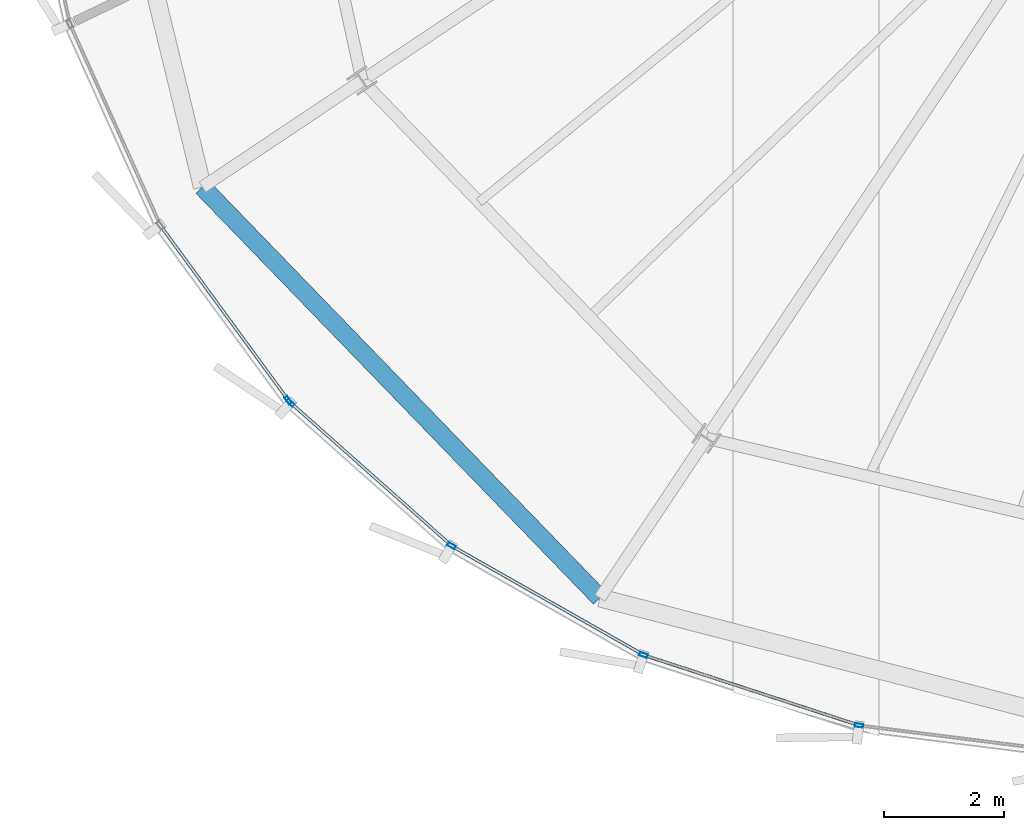
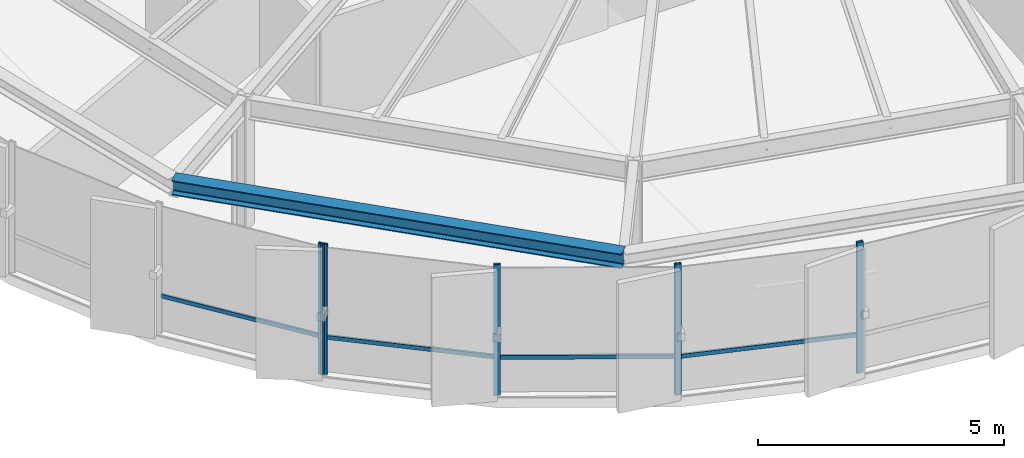
# One storey, part 2 of 35: 9 members, 1 beam, 2 elements without a shape of their own.
"""IFC4 building model written with IfcOpenShell, lengths in metres."""

import ifcopenshell
import ifcopenshell.guid

model = None  # the IFC model being written
_history = None  # IfcOwnerHistory: only IFC2X3 demands one
_inside = {}  # id of a spatial element -> (the spatial element, [elements in it])
_under = {}  # id of a project, library or spatial element -> (it, [spatial elements below it])
_declared = {}  # id of a project -> (the project, [libraries it declares])
_typed = {}  # id of a type object -> (the type object, [elements of that type])
_made_of = {}  # id of a material, layer set ... -> (it, [elements and type objects made of it])


def new_model(schema):
    """Start an empty IFC model of exactly this schema.

    Asked for "IFC4X3", IfcOpenShell would pick the latest addendum, in which some entities
    have other attributes; the version numbers below select the first issue.
    IFC2X3 requires an IfcOwnerHistory on every rooted entity: one is made here for all.
    """
    global model, _history
    if schema == "IFC4X3":
        model = ifcopenshell.file(schema_version=(4, 3, 0, 0))
    else:
        model = ifcopenshell.file(schema=schema)
    _inside.clear()
    _under.clear()
    _declared.clear()
    _typed.clear()
    _made_of.clear()
    _history = None
    if model.schema == "IFC2X3":
        org = make("IfcOrganization", Name="unknown")
        user = make(
            "IfcPersonAndOrganization",
            ThePerson=make("IfcPerson", FamilyName="unknown"),
            TheOrganization=org,
        )
        app = make(
            "IfcApplication",
            ApplicationDeveloper=org,
            Version="unknown",
            ApplicationFullName="unknown",
            ApplicationIdentifier="unknown",
        )
        _history = make(
            "IfcOwnerHistory",
            OwningUser=user,
            OwningApplication=app,
            ChangeAction="ADDED",
            CreationDate=0,
        )
    return model


def make(cls, **values):
    """One entity of the class cls with the attributes given. An attribute that is None is left unset."""
    return model.create_entity(
        cls, **{name: value for name, value in values.items() if value is not None}
    )


def rooted(cls, **values):
    """An entity with a GlobalId (a new one), such as an element, a storey or a relation."""
    return make(cls, GlobalId=ifcopenshell.guid.new(), OwnerHistory=_history, **values)


def si_unit(unit_type, name, prefix=None):
    """IfcSIUnit, for example si_unit("LENGTHUNIT", "METRE", prefix="MILLI")."""
    return make("IfcSIUnit", UnitType=unit_type, Prefix=prefix, Name=name)


def assignment(units):
    """IfcUnitAssignment: the units of a project."""
    return None if units is None else make("IfcUnitAssignment", Units=units)


def point(xyz):
    """IfcCartesianPoint."""
    return None if xyz is None else make("IfcCartesianPoint", Coordinates=xyz)


def direction(xyz):
    """IfcDirection."""
    return None if xyz is None else make("IfcDirection", DirectionRatios=xyz)


def frame(location, z_axis=None, x_axis=None):
    """IfcAxis2Placement3D, a coordinate frame: its origin and axes. An axis left out is left unset."""
    return make(
        "IfcAxis2Placement3D",
        Location=point(location),
        Axis=direction(z_axis),
        RefDirection=direction(x_axis),
    )


def frame_2d(location, x_axis=None):
    """IfcAxis2Placement2D, a coordinate frame in the plane: its origin and x axis."""
    return make(
        "IfcAxis2Placement2D", Location=point(location), RefDirection=direction(x_axis)
    )


def origin():
    """The frame at (0, 0, 0) with its axes left unset."""
    return frame((0.0, 0.0, 0.0))


def origin_2d():
    """The frame at (0, 0) in the plane with its x axis left unset."""
    return frame_2d((0.0, 0.0))


def place(relative_to, where):
    """IfcLocalPlacement: puts the frame where relative to a parent placement (None: the world)."""
    return make(
        "IfcLocalPlacement", PlacementRelTo=relative_to, RelativePlacement=where
    )


def context(
    kind, dimensions, precision=None, world=None, true_north=None, identifier=None
):
    """IfcGeometricRepresentationContext, for example the 3D "Model" context."""
    return make(
        "IfcGeometricRepresentationContext",
        ContextIdentifier=identifier,
        ContextType=kind,
        CoordinateSpaceDimension=dimensions,
        Precision=precision,
        WorldCoordinateSystem=world,
        TrueNorth=true_north,
    )


def subcontext(parent, identifier, kind, view, scale=None):
    """IfcGeometricRepresentationSubContext, for example "Body" below "Model"."""
    return make(
        "IfcGeometricRepresentationSubContext",
        ContextIdentifier=identifier,
        ContextType=kind,
        ParentContext=parent,
        TargetScale=scale,
        TargetView=view,
    )


def project(units=None, contexts=None):
    """IfcProject with its units and contexts."""
    return rooted(
        "IfcProject",
        Name="project",
        RepresentationContexts=contexts,
        UnitsInContext=assignment(units),
    )


def spatial(cls, under=None, at=None, **own):
    """A site, building, storey or space (cls), placed at a placement, below another one or the project."""
    s = rooted(cls, ObjectPlacement=at, **own)
    if under is not None:
        _under.setdefault(under.id(), (under, []))[1].append(s)
    return s


def profile(cls, at=None, kind="AREA", **sizes):
    """A parametric profile (cls). Its sizes go by their IFC names, for example OverallWidth=200.0."""
    return make(cls, ProfileType=kind, Position=at, **sizes)


def hollow_rectangle(**sizes):
    """IfcRectangleHollowProfileDef."""
    return profile("IfcRectangleHollowProfileDef", **sizes)


def i_section(**sizes):
    """IfcIShapeProfileDef."""
    return profile("IfcIShapeProfileDef", **sizes)


def extrude(swept, where, along, depth):
    """IfcExtrudedAreaSolid: the profile swept, set in the frame where, extruded along a direction by depth."""
    return make(
        "IfcExtrudedAreaSolid",
        SweptArea=swept,
        Position=where,
        ExtrudedDirection=direction(along),
        Depth=depth,
    )


def shape(context_of_items, identifier, shape_type, items):
    """IfcShapeRepresentation: the items that make up one representation, for example the "Body"."""
    return make(
        "IfcShapeRepresentation",
        ContextOfItems=context_of_items,
        RepresentationIdentifier=identifier,
        RepresentationType=shape_type,
        Items=items,
    )


def source(mapping_origin, context_of_items, identifier, shape_type, items):
    """IfcRepresentationMap: a shape defined once, which mapped items show again and again."""
    return make(
        "IfcRepresentationMap",
        MappingOrigin=mapping_origin,
        MappedRepresentation=shape(context_of_items, identifier, shape_type, items),
    )


def transform(
    local_origin,
    x_axis=None,
    y_axis=None,
    z_axis=None,
    scale=None,
    scale2=None,
    scale3=None,
    uniform=True,
):
    """IfcCartesianTransformationOperator3D, or its non-uniform kind. x_axis, y_axis, z_axis: its Axis1, 2, 3."""
    if uniform:
        return make(
            "IfcCartesianTransformationOperator3D",
            Axis1=direction(x_axis),
            Axis2=direction(y_axis),
            LocalOrigin=point(local_origin),
            Scale=scale,
            Axis3=direction(z_axis),
        )
    return make(
        "IfcCartesianTransformationOperator3DnonUniform",
        Axis1=direction(x_axis),
        Axis2=direction(y_axis),
        LocalOrigin=point(local_origin),
        Scale=scale,
        Axis3=direction(z_axis),
        Scale2=scale2,
        Scale3=scale3,
    )


def mapped(mapping_source, mapping_target):
    """IfcMappedItem: shows the shape of a source again, moved by a transform."""
    return make(
        "IfcMappedItem", MappingSource=mapping_source, MappingTarget=mapping_target
    )


def material(Name=None, Category=None):
    """IfcMaterial."""
    return make("IfcMaterial", Name=Name, Category=Category)


def layer(
    of_material, thickness, ventilated=None, Name=None, Category=None, Priority=None
):
    """IfcMaterialLayer: one layer of a wall or slab, of a material (None: an air gap)."""
    return make(
        "IfcMaterialLayer",
        Material=of_material,
        LayerThickness=thickness,
        IsVentilated=ventilated,
        Name=Name,
        Category=Category,
        Priority=Priority,
    )


def layer_set(layers, Name=None):
    """IfcMaterialLayerSet."""
    return make("IfcMaterialLayerSet", MaterialLayers=layers, LayerSetName=Name)


def material_profile(
    of_material, cross_section, Name=None, Category=None, Priority=None
):
    """IfcMaterialProfile: a cross section and its material."""
    return make(
        "IfcMaterialProfile",
        Name=Name,
        Material=of_material,
        Profile=cross_section,
        Priority=Priority,
        Category=Category,
    )


def profile_set(profiles, Name=None, composite=None):
    """IfcMaterialProfileSet."""
    return make(
        "IfcMaterialProfileSet",
        Name=Name,
        MaterialProfiles=profiles,
        CompositeProfile=composite,
    )


def made_of(thing, what):
    """Note that an element or type object is made of a material, layer set ...; save() writes the relation."""
    if what is not None:
        _made_of.setdefault(what.id(), (what, []))[1].append(thing)
    return thing


def type_object(cls, material=None, **own):
    """A type object (cls), such as IfcWallType, which elements share."""
    return made_of(rooted(cls, **own), material)


def element(
    cls,
    number,
    at=None,
    inside=None,
    cuts=None,
    type_object=None,
    material=None,
    context=None,
    identifier="Body",
    shape_type=None,
    held_by="IfcProductDefinitionShape",
    body=None,
    shapes=None,
    **own,
):
    """One element of the class cls, such as IfcWall. Its Tag is "e" and its number.

    at: its placement. inside: the storey or other place that contains it. cuts: it is an
    opening in that element (IfcRelVoidsElement). A single representation is given by context,
    identifier, shape_type and body (its items); several are given by shapes. held_by: the class
    of the entity that holds the representations. save() writes the other relations.
    """
    e = rooted(cls, Tag="e%d" % number, ObjectPlacement=at, **own)
    if body is not None:
        shapes = [shape(context, identifier, shape_type, body)]
    if shapes is not None:
        e.Representation = make(held_by, Representations=shapes)
    if inside is not None:
        _inside.setdefault(inside.id(), (inside, []))[1].append(e)
    if cuts is not None:
        rooted(
            "IfcRelVoidsElement", RelatingBuildingElement=cuts, RelatedOpeningElement=e
        )
    if type_object is not None:
        _typed.setdefault(type_object.id(), (type_object, []))[1].append(e)
    return made_of(e, material)


def aggregate(whole, parts):
    """IfcRelAggregates: a whole, such as a stair, and the parts it consists of."""
    return rooted("IfcRelAggregates", RelatingObject=whole, RelatedObjects=parts)


def save(model, path):
    """Write the relations noted so far, then the file.

    IfcRelAggregates (storeys below a building ...), IfcRelContainedInSpatialStructure (elements
    in a storey), IfcRelDefinesByType, IfcRelAssociatesMaterial and IfcRelDeclares: one each for
    every whole, place, type object, material and project.
    """
    for whole, parts in _under.values():
        aggregate(whole, parts)
    for where, things in _inside.values():
        rooted(
            "IfcRelContainedInSpatialStructure",
            RelatedElements=things,
            RelatingStructure=where,
        )
    for kind, things in _typed.values():
        rooted("IfcRelDefinesByType", RelatedObjects=things, RelatingType=kind)
    for what, things in _made_of.values():
        rooted("IfcRelAssociatesMaterial", RelatedObjects=things, RelatingMaterial=what)
    for by, libraries in _declared.values():
        rooted("IfcRelDeclares", RelatingContext=by, RelatedDefinitions=libraries)
    model.write(path)


model = new_model("IFC4")

# Units and contexts
model_context = context("Model", 3, precision=1e-05, world=origin(), true_north=direction((0.0, 1.0)))
body_context = subcontext(model_context, "Body", "Model", "MODEL_VIEW")
ifc_project = project(units=[si_unit("LENGTHUNIT", "METRE"), si_unit("AREAUNIT", "SQUARE_METRE"), si_unit("VOLUMEUNIT", "CUBIC_METRE"), si_unit("PLANEANGLEUNIT", "RADIAN"), si_unit("MASSUNIT", "GRAM", prefix="KILO"), si_unit("THERMODYNAMICTEMPERATUREUNIT", "KELVIN")], contexts=[model_context])

# Site, building, storey
site_placement = place(None, origin())
site = spatial("IfcSite", under=ifc_project, at=site_placement, CompositionType="ELEMENT")
building_placement = place(site_placement, origin())
building = spatial("IfcBuilding", under=site, at=building_placement, Name="Kethvar Cultural Tower", CompositionType="ELEMENT")
storey_placement = place(building_placement, frame((0.0, 0.0, 204.39990234375)))
storey = spatial("IfcBuildingStorey", under=building, at=storey_placement, Name="L53", CompositionType="ELEMENT", Elevation=204.39990234375)

# Beam
ifc_material_1 = material(Name="Steel S355J2", Category="steel")
ifc_material_profile_1 = material_profile(ifc_material_1, i_section(OverallWidth=0.300048828125, OverallDepth=0.360107421875, WebThickness=0.012451171875, FlangeThickness=0.0224609375, FilletRadius=0.027099609375, at=origin_2d()), Name="Steel S355J2 — HEB360")
ifc_profile_set_1 = profile_set([ifc_material_profile_1], Name="Steel S355J2 — HEB360")
beam_type = type_object("IfcBeamType", Name="BM-SP360", PredefinedType="SPANDREL", material=ifc_profile_set_1)
shared_shape_1 = source(origin(), body_context, "Body", "SweptSolid", [
    extrude(i_section(OverallWidth=0.300048828125, OverallDepth=0.360107421875, WebThickness=0.012451171875, FlangeThickness=0.0224609375, FilletRadius=0.027099609375, at=origin_2d()), origin(), (0.0, 0.0, 1.0), 9.531982421875),
])
beam_placement = place(storey_placement, frame((26.556884765625, 14.27392578125, 3.078125), z_axis=(0.695343772208, -0.71867728394, 0.0), x_axis=(0.71867728394, 0.695343772208, 0.0)))
element("IfcBeam", 1, at=beam_placement, inside=storey, type_object=beam_type, Name="L53 Perimeter Spandrel Beam SP-10", PredefinedType="SPANDREL", context=body_context, shape_type="MappedRepresentation", body=[
    mapped(shared_shape_1, transform((0.0, 0.0, 0.0), scale=1.0)),
])

# Curtain wall, member
ifc_material_2 = material(Name="Aluminium 6063-T6", Category="aluminium")
ifc_layer = layer(ifc_material_2, 0.179931640625, Name="Aluminium 6063-T6", Category="aluminium")
ifc_layer_set = layer_set([ifc_layer], Name="Aluminium 6063-T6 (180 mm)")
curtain_wall_type = type_object("IfcCurtainWallType", Name="CW-SYS-04-Z34", PredefinedType="NOTDEFINED", material=ifc_layer_set)
curtain_wall_1_placement = place(storey_placement, origin())
curtain_wall_1 = element("IfcCurtainWall", 2, at=curtain_wall_1_placement, inside=storey, type_object=curtain_wall_type, Name="L53 Curtain Wall Run 03", PredefinedType="NOTDEFINED")
ifc_material_profile_2 = material_profile(ifc_material_2, hollow_rectangle(XDim=0.06005859375, YDim=0.139892578125, WallThickness=0.0048828125, at=origin_2d()), Name="Aluminium 6063-T6 — RHS140x60x5")
ifc_profile_set_2 = profile_set([ifc_material_profile_2], Name="Aluminium 6063-T6 — RHS140x60x5")
member_type_1 = type_object("IfcMemberType", Name="CW-SYS-04-Z34-MUL", PredefinedType="MULLION", material=ifc_profile_set_2)
shared_shape_2 = source(origin(), body_context, "Body", "SweptSolid", [
    extrude(hollow_rectangle(XDim=0.06005859375, YDim=0.139892578125, WallThickness=0.0048828125, at=origin_2d()), origin(), (0.0, 0.0, 1.0), 3.260009765625),
])
member_1_placement = place(storey_placement, frame((27.98876953125, 10.719482421875, 0.0), z_axis=(0.0, 0.0, 1.0), x_axis=(0.80687784017, 0.590718334778, 0.0)))
member_1 = element("IfcMember", 3, at=member_1_placement, type_object=member_type_1, Name="CW-L53-R03 Mullion 7", PredefinedType="MULLION", context=body_context, shape_type="MappedRepresentation", body=[
    mapped(shared_shape_2, transform((0.0, 0.0, 0.0), scale=1.0)),
])

# Curtain wall, members
curtain_wall_2_placement = place(storey_placement, origin())
curtain_wall_2 = element("IfcCurtainWall", 4, at=curtain_wall_2_placement, inside=storey, type_object=curtain_wall_type, Name="L53 Curtain Wall Run 04", PredefinedType="NOTDEFINED")
member_2_placement = place(storey_placement, frame((28.025146484375, 10.679443359375, 0.0), z_axis=(0.0, 0.0, 1.0), x_axis=(0.664030618491, 0.747705381622, 0.0)))
member_2 = element("IfcMember", 5, at=member_2_placement, type_object=member_type_1, Name="CW-L53-R04 Mullion 1", PredefinedType="MULLION", context=body_context, shape_type="MappedRepresentation", body=[
    mapped(shared_shape_2, transform((0.0, 0.0, 0.0), scale=1.0)),
])
member_3_placement = place(storey_placement, frame((30.709228515625, 8.29248046875, 0.0), z_axis=(0.0, 0.0, 1.0), x_axis=(0.493941866584, 0.869494929505, 0.0)))
member_3 = element("IfcMember", 6, at=member_3_placement, type_object=member_type_1, Name="CW-L53-R04 Mullion 2", PredefinedType="MULLION", context=body_context, shape_type="MappedRepresentation", body=[
    mapped(shared_shape_2, transform((0.0, 0.0, 0.0), scale=1.0)),
])
member_4_placement = place(storey_placement, frame((33.91162109375, 6.470947265625, 0.0), z_axis=(0.0, 0.0, 1.0), x_axis=(0.310145513072, 0.950689097824, 0.0)))
member_4 = element("IfcMember", 7, at=member_4_placement, type_object=member_type_1, Name="CW-L53-R04 Mullion 3", PredefinedType="MULLION", context=body_context, shape_type="MappedRepresentation", body=[
    mapped(shared_shape_2, transform((0.0, 0.0, 0.0), scale=1.0)),
])
member_5_placement = place(storey_placement, frame((37.50634765625, 5.296142578125, 0.0), z_axis=(0.0, 0.0, 1.0), x_axis=(0.125298602152, 0.992119075665, 0.0)))
member_5 = element("IfcMember", 8, at=member_5_placement, type_object=member_type_1, Name="CW-L53-R04 Mullion 4", PredefinedType="MULLION", context=body_context, shape_type="MappedRepresentation", body=[
    mapped(shared_shape_2, transform((0.0, 0.0, 0.0), scale=1.0)),
])
ifc_material_profile_3 = material_profile(ifc_material_2, hollow_rectangle(XDim=0.050048828125, YDim=0.10009765625, WallThickness=0.00390625, at=origin_2d()), Name="Aluminium 6063-T6 — RHS100x50x4")
ifc_profile_set_3 = profile_set([ifc_material_profile_3], Name="Aluminium 6063-T6 — RHS100x50x4")
member_type_2 = type_object("IfcMemberType", Name="CW-SYS-04-Z34-TRN", PredefinedType="USERDEFINED", material=ifc_profile_set_3)
shared_shape_3 = source(origin(), body_context, "Body", "SweptSolid", [
    extrude(hollow_rectangle(XDim=0.050048828125, YDim=0.10009765625, WallThickness=0.00390625, at=origin_2d()), origin(), (0.0, 0.0, 1.0), 3.71630859375),
])
member_6_placement = place(storey_placement, frame((33.95263671875, 6.45751953125, 0.9501953125), z_axis=(0.950687314739, -0.310150978708, 0.0), x_axis=(0.310150978708, 0.950687314739, 0.0)))
member_6 = element("IfcMember", 9, at=member_6_placement, type_object=member_type_2, Name="CW-L53-R04 Transom 3", ObjectType="TRANSOM", PredefinedType="USERDEFINED", context=body_context, shape_type="MappedRepresentation", body=[
    mapped(shared_shape_3, transform((0.0, 0.0, 0.0), scale=1.0)),
])

# Member
shared_shape_4 = source(origin(), body_context, "Body", "SweptSolid", [
    extrude(hollow_rectangle(XDim=0.050048828125, YDim=0.10009765625, WallThickness=0.00390625, at=origin_2d()), origin(), (0.0, 0.0, 1.0), 3.5673828125),
])
member_7_placement = place(storey_placement, frame((25.87890625, 13.6015625, 0.9501953125), z_axis=(0.590663266669, -0.806918152856, 0.0), x_axis=(0.806918152856, 0.590663266669, 0.0)))
member_7 = element("IfcMember", 10, at=member_7_placement, type_object=member_type_2, Name="CW-L53-R03 Transom 6", ObjectType="TRANSOM", PredefinedType="USERDEFINED", context=body_context, shape_type="MappedRepresentation", body=[
    mapped(shared_shape_4, transform((0.0, 0.0, 0.0), scale=1.0)),
])

aggregate(curtain_wall_1, [member_1, member_7])

member_8_placement = place(storey_placement, frame((28.0283203125, 10.6767578125, 0.9501953125), z_axis=(0.747684894206, -0.664053686818, 0.0), x_axis=(0.664053686818, 0.747684894206, 0.0)))
member_8 = element("IfcMember", 11, at=member_8_placement, type_object=member_type_2, Name="CW-L53-R04 Transom 1", ObjectType="TRANSOM", PredefinedType="USERDEFINED", context=body_context, shape_type="MappedRepresentation", body=[
    mapped(shared_shape_4, transform((0.0, 0.0, 0.0), scale=1.0)),
])

shared_shape_5 = source(origin(), body_context, "Body", "SweptSolid", [
    extrude(hollow_rectangle(XDim=0.050048828125, YDim=0.10009765625, WallThickness=0.00390625, at=origin_2d()), origin(), (0.0, 0.0, 1.0), 3.619873046875),
])
member_9_placement = place(storey_placement, frame((30.746826171875, 8.271240234375, 0.9501953125), z_axis=(0.869514490231, -0.493907431893, 0.0), x_axis=(0.493907431893, 0.869514490231, 0.0)))
member_9 = element("IfcMember", 12, at=member_9_placement, type_object=member_type_2, Name="CW-L53-R04 Transom 2", ObjectType="TRANSOM", PredefinedType="USERDEFINED", context=body_context, shape_type="MappedRepresentation", body=[
    mapped(shared_shape_5, transform((0.0, 0.0, 0.0), scale=1.0)),
])

aggregate(curtain_wall_2, [member_2, member_3, member_4, member_5, member_8, member_9, member_6])

save(model, "model.ifc")
